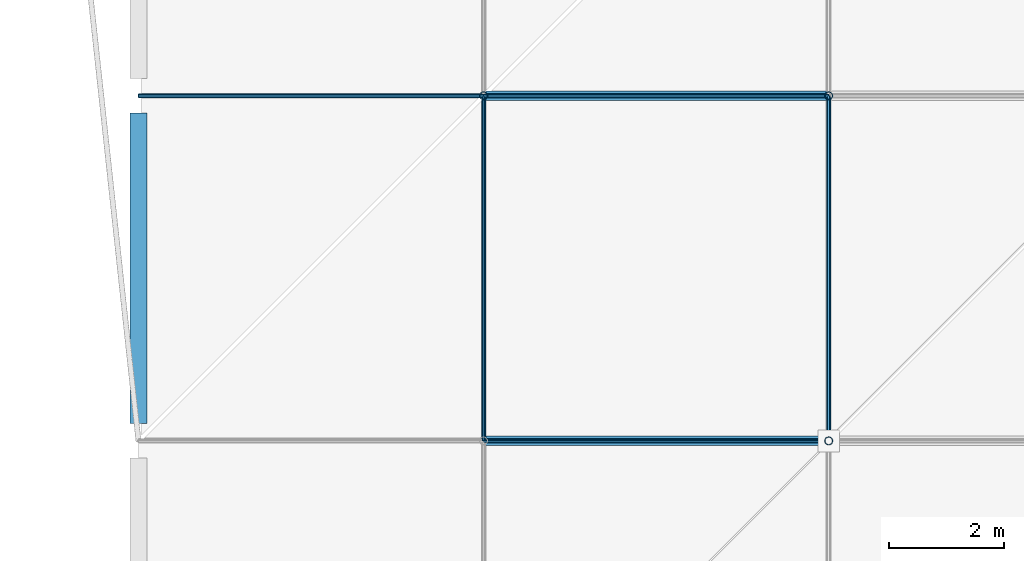
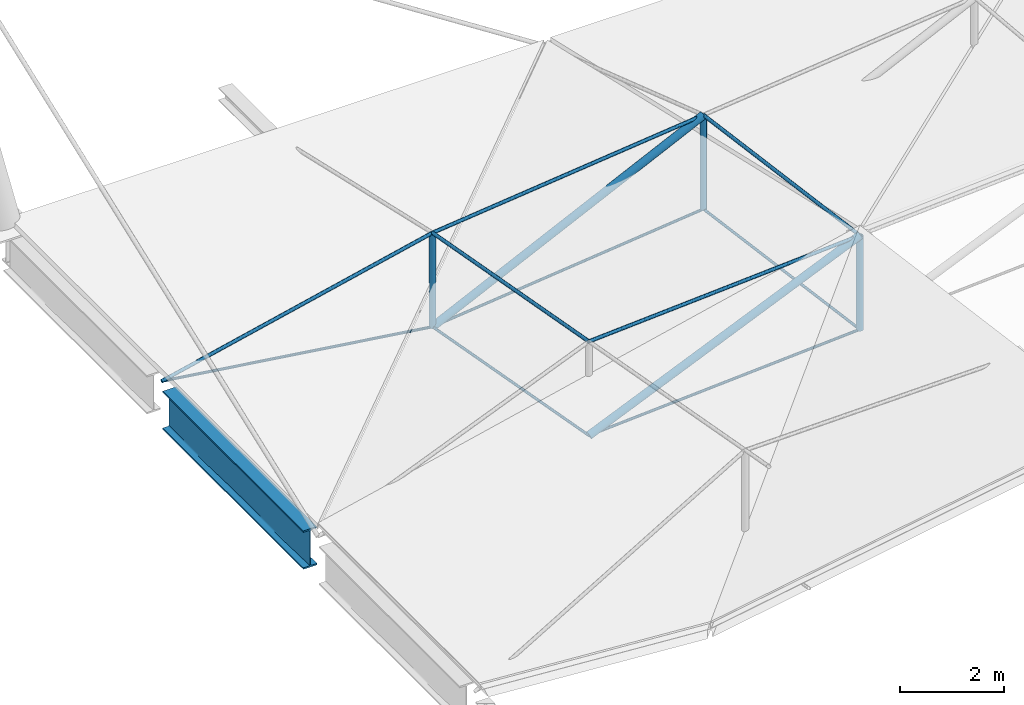
# One storey, part 26 of 132: 15 members, 1 beam.
"""IFC4 building model written with IfcOpenShell, lengths in metres."""

from ifc_helpers import new_model, si_unit, direction, frame, origin, origin_2d, place, context, subcontext, project, spatial, circle, hollow_circle, i_section, extrude, material, material_profile, profile_set, type_object, element, save


model = new_model("IFC4")

# Units and contexts
model_context = context("Model", 3, precision=1e-05, world=origin(), true_north=direction((0.0, 1.0)))
body_context = subcontext(model_context, "Body", "Model", "MODEL_VIEW")
ifc_project = project(units=[si_unit("LENGTHUNIT", "METRE"), si_unit("AREAUNIT", "SQUARE_METRE"), si_unit("VOLUMEUNIT", "CUBIC_METRE"), si_unit("PLANEANGLEUNIT", "RADIAN"), si_unit("MASSUNIT", "GRAM", prefix="KILO")], contexts=[model_context])

# Site, building, storey
site_placement = place(None, origin())
site = spatial("IfcSite", under=ifc_project, at=site_placement, CompositionType="ELEMENT")
building_placement = place(site_placement, origin())
building = spatial("IfcBuilding", under=site, at=building_placement, Name="Deido Ridge Mobility Hub", CompositionType="ELEMENT")
storey_placement = place(building_placement, frame((0.0, 0.0, 8.39990234375)))
storey = spatial("IfcBuildingStorey", under=building, at=storey_placement, Name="L02", CompositionType="ELEMENT", Elevation=8.39990234375)

# Beam
ifc_material_1 = material(Name="Steel S355J2 EN 10025-2", Category="steel")
ifc_material_profile_1 = material_profile(ifc_material_1, i_section(OverallWidth=0.300048828125, OverallDepth=0.89990234375, WebThickness=0.0185546875, FlangeThickness=0.034912109375, FilletRadius=0.027099609375, at=origin_2d()), Name="HEB 900")
ifc_profile_set_1 = profile_set([ifc_material_profile_1], Name="Steel S355J2 EN 10025-2")
beam_type = type_object("IfcBeamType", Name="BM-RING-HEB900", PredefinedType="USERDEFINED", material=ifc_profile_set_1)
beam_placement = place(storey_placement, frame((0.0, 24.300048828125, -0.449951171875), z_axis=(0.0, 1.0, 0.0), x_axis=(-1.0, 0.0, 0.0)))
element("IfcBeam", 1, at=beam_placement, inside=storey, type_object=beam_type, Name="Compression ring beam RB1", ObjectType="RING BEAM", PredefinedType="USERDEFINED", context=body_context, shape_type="SweptSolid", body=[
    extrude(i_section(OverallWidth=0.300048828125, OverallDepth=0.89990234375, WebThickness=0.0185546875, FlangeThickness=0.034912109375, FilletRadius=0.027099609375, at=origin_2d()), origin(), (0.0, 0.0, 1.0), 5.39990234375),
])

# Members
ifc_material_2 = material(Name="Steel S460M EN 10025-4", Category="steel")
ifc_material_profile_2 = material_profile(ifc_material_2, circle(Radius=0.030029296875, at=origin_2d()), Name="CABLE D60")
ifc_profile_set_2 = profile_set([ifc_material_profile_2], Name="Steel S460M EN 10025-4")
member_type_1 = type_object("IfcMemberType", Name="MEM-CBL-D60", PredefinedType="USERDEFINED", material=ifc_profile_set_2)
member_1_placement = place(storey_placement, frame((6.0, 24.0, 0.266845703125), z_axis=(0.997965676134, 0.0, 0.063753503887), x_axis=(0.0, 1.0, 0.0)))
element("IfcMember", 2, at=member_1_placement, inside=storey, type_object=member_type_1, Name="Saddle lower stabilizing cable CB3", ObjectType="TENSION CABLE", PredefinedType="USERDEFINED", context=body_context, shape_type="SweptSolid", body=[
    extrude(circle(Radius=0.030029296875, at=origin_2d()), origin(), (0.0, 0.0, 1.0), 6.01220703125),
])
member_2_placement = place(storey_placement, frame((0.0, 30.0, 0.0), z_axis=(0.990641813447, 0.0, -0.136487352715), x_axis=(0.0, 1.0, 0.0)))
element("IfcMember", 3, at=member_2_placement, inside=storey, type_object=member_type_1, Name="Saddle lower stabilizing cable CB3", ObjectType="TENSION CABLE", PredefinedType="USERDEFINED", context=body_context, shape_type="SweptSolid", body=[
    extrude(circle(Radius=0.030029296875, at=origin_2d()), origin(), (0.0, 0.0, 1.0), 6.056640625),
])
member_3_placement = place(storey_placement, frame((6.0, 30.0, -0.82666015625), z_axis=(0.994062945023, 0.0, 0.108806531661), x_axis=(0.0, 1.0, 0.0)))
element("IfcMember", 4, at=member_3_placement, inside=storey, type_object=member_type_1, Name="Saddle lower stabilizing cable CB3", ObjectType="TENSION CABLE", PredefinedType="USERDEFINED", context=body_context, shape_type="SweptSolid", body=[
    extrude(circle(Radius=0.030029296875, at=origin_2d()), origin(), (0.0, 0.0, 1.0), 6.035888671875),
])
member_4_placement = place(storey_placement, frame((6.0, 24.0, 0.266845703125), z_axis=(0.0, 0.98379488627, -0.17929757876), x_axis=(-1.0, 0.0, 0.0)))
element("IfcMember", 5, at=member_4_placement, inside=storey, type_object=member_type_1, Name="Saddle transverse valley cable CB3", ObjectType="TENSION CABLE", PredefinedType="USERDEFINED", context=body_context, shape_type="SweptSolid", body=[
    extrude(circle(Radius=0.030029296875, at=origin_2d()), origin(), (0.0, 0.0, 1.0), 6.098876953125),
])
member_5_placement = place(storey_placement, frame((12.0, 24.0, 0.650146484375), z_axis=(0.0, 0.990788415376, -0.135419038381), x_axis=(-1.0, 0.0, 0.0)))
element("IfcMember", 6, at=member_5_placement, inside=storey, type_object=member_type_1, Name="Saddle transverse valley cable CB3", ObjectType="TENSION CABLE", PredefinedType="USERDEFINED", context=body_context, shape_type="SweptSolid", body=[
    extrude(circle(Radius=0.030029296875, at=origin_2d()), origin(), (0.0, 0.0, 1.0), 6.0556640625),
])
ifc_material_profile_3 = material_profile(ifc_material_2, circle(Radius=0.0380859375, at=origin_2d()), Name="CABLE D76")
ifc_profile_set_3 = profile_set([ifc_material_profile_3], Name="Steel S460M EN 10025-4")
member_type_2 = type_object("IfcMemberType", Name="MEM-CBL-D76", PredefinedType="USERDEFINED", material=ifc_profile_set_3)
member_6_placement = place(storey_placement, frame((6.0, 24.0, 2.466796875), z_axis=(0.997965676134, 0.0, 0.063753503887), x_axis=(0.0, 1.0, 0.0)))
element("IfcMember", 7, at=member_6_placement, inside=storey, type_object=member_type_2, Name="Saddle upper longitudinal cable CB2", ObjectType="TENSION CABLE", PredefinedType="USERDEFINED", context=body_context, shape_type="SweptSolid", body=[
    extrude(circle(Radius=0.0380859375, at=origin_2d()), origin(), (0.0, 0.0, 1.0), 6.01220703125),
])
member_7_placement = place(storey_placement, frame((0.0, 30.0, 0.0), z_axis=(0.974792736312, 0.0, 0.223112351146), x_axis=(0.0, 1.0, 0.0)))
element("IfcMember", 8, at=member_7_placement, inside=storey, type_object=member_type_2, Name="Saddle upper longitudinal cable CB2", ObjectType="TENSION CABLE", PredefinedType="USERDEFINED", context=body_context, shape_type="SweptSolid", body=[
    extrude(circle(Radius=0.0380859375, at=origin_2d()), origin(), (0.0, 0.0, 1.0), 6.1552734375),
])
member_8_placement = place(storey_placement, frame((6.0, 30.0, 1.373291015625), z_axis=(0.994062945023, 0.0, 0.108806531661), x_axis=(0.0, 1.0, 0.0)))
element("IfcMember", 9, at=member_8_placement, inside=storey, type_object=member_type_2, Name="Saddle upper longitudinal cable CB2", ObjectType="TENSION CABLE", PredefinedType="USERDEFINED", context=body_context, shape_type="SweptSolid", body=[
    extrude(circle(Radius=0.0380859375, at=origin_2d()), origin(), (0.0, 0.0, 1.0), 6.035888671875),
])
member_9_placement = place(storey_placement, frame((6.0, 24.0, 2.466796875), z_axis=(0.0, 0.98379488627, -0.17929757876), x_axis=(-1.0, 0.0, 0.0)))
element("IfcMember", 10, at=member_9_placement, inside=storey, type_object=member_type_2, Name="Saddle transverse ridge cable CB2", ObjectType="TENSION CABLE", PredefinedType="USERDEFINED", context=body_context, shape_type="SweptSolid", body=[
    extrude(circle(Radius=0.0380859375, at=origin_2d()), origin(), (0.0, 0.0, 1.0), 6.098876953125),
])
member_10_placement = place(storey_placement, frame((12.0, 24.0, 2.85009765625), z_axis=(0.0, 0.990788415376, -0.135419038381), x_axis=(-1.0, 0.0, 0.0)))
element("IfcMember", 11, at=member_10_placement, inside=storey, type_object=member_type_2, Name="Saddle transverse ridge cable CB2", ObjectType="TENSION CABLE", PredefinedType="USERDEFINED", context=body_context, shape_type="SweptSolid", body=[
    extrude(circle(Radius=0.0380859375, at=origin_2d()), origin(), (0.0, 0.0, 1.0), 6.0556640625),
])
ifc_material_3 = material(Name="Steel S355J2H EN 10210-1", Category="steel")
ifc_material_profile_4 = material_profile(ifc_material_3, hollow_circle(Radius=0.06982421875, WallThickness=0.00634765625, at=origin_2d()), Name="CHS 139.7x6.3")
ifc_profile_set_4 = profile_set([ifc_material_profile_4], Name="Steel S355J2H EN 10210-1")
member_type_3 = type_object("IfcMemberType", Name="MEM-STR-CHS140", PredefinedType="STRUT", material=ifc_profile_set_4)
for number, where, z_axis, x_axis, name in (
    (12, (6.0, 30.0, -0.82666015625), (0.0, 0.0, 1.0), (1.0, 0.0, 0.0), "Cable-net vertical spreader strut SR2"),
    (13, (12.0, 24.0, 0.650146484375), (0.0, 0.0, 1.0), (1.0, 0.0, 0.0), "Cable-net vertical spreader strut SR2"),
    (14, (12.0, 30.0, -0.169921875), (0.0, 0.0, 1.0), (1.0, 0.0, 0.0), "Cable-net vertical spreader strut SR2"),
):
    element("IfcMember", number, at=place(storey_placement, frame(where, z_axis=z_axis, x_axis=x_axis)), inside=storey, type_object=member_type_3, Name=name, PredefinedType="STRUT", context=body_context, shape_type="SweptSolid", body=[
        extrude(hollow_circle(Radius=0.06982421875, WallThickness=0.00634765625, at=origin_2d()), origin(), (0.0, 0.0, 1.0), 2.199951171875),
    ])
ifc_material_profile_5 = material_profile(ifc_material_3, hollow_circle(Radius=0.084228515625, WallThickness=0.008056640625, at=origin_2d()), Name="CHS 168.3x8")
ifc_profile_set_5 = profile_set([ifc_material_profile_5], Name="Steel S355J2H EN 10210-1")
member_type_4 = type_object("IfcMemberType", Name="MEM-STR-CHS168", PredefinedType="STRUT", material=ifc_profile_set_5)
member_11_placement = place(storey_placement, frame((6.0, 24.0, 0.266845703125), z_axis=(0.91848843506, 0.0, 0.395447840632), x_axis=(0.0, 1.0, 0.0)))
element("IfcMember", 15, at=member_11_placement, inside=storey, type_object=member_type_4, Name="Saddle diagonal web strut SR1", PredefinedType="STRUT", context=body_context, shape_type="SweptSolid", body=[
    extrude(hollow_circle(Radius=0.084228515625, WallThickness=0.008056640625, at=origin_2d()), origin(), (0.0, 0.0, 1.0), 6.532470703125),
])
member_12_placement = place(storey_placement, frame((6.0, 30.0, -0.82666015625), z_axis=(0.902887001475, 0.0, 0.429877962413), x_axis=(0.0, 1.0, 0.0)))
element("IfcMember", 16, at=member_12_placement, inside=storey, type_object=member_type_4, Name="Saddle diagonal web strut SR1", PredefinedType="STRUT", context=body_context, shape_type="SweptSolid", body=[
    extrude(hollow_circle(Radius=0.084228515625, WallThickness=0.008056640625, at=origin_2d()), origin(), (0.0, 0.0, 1.0), 6.645263671875),
])

save(model, "model.ifc")
